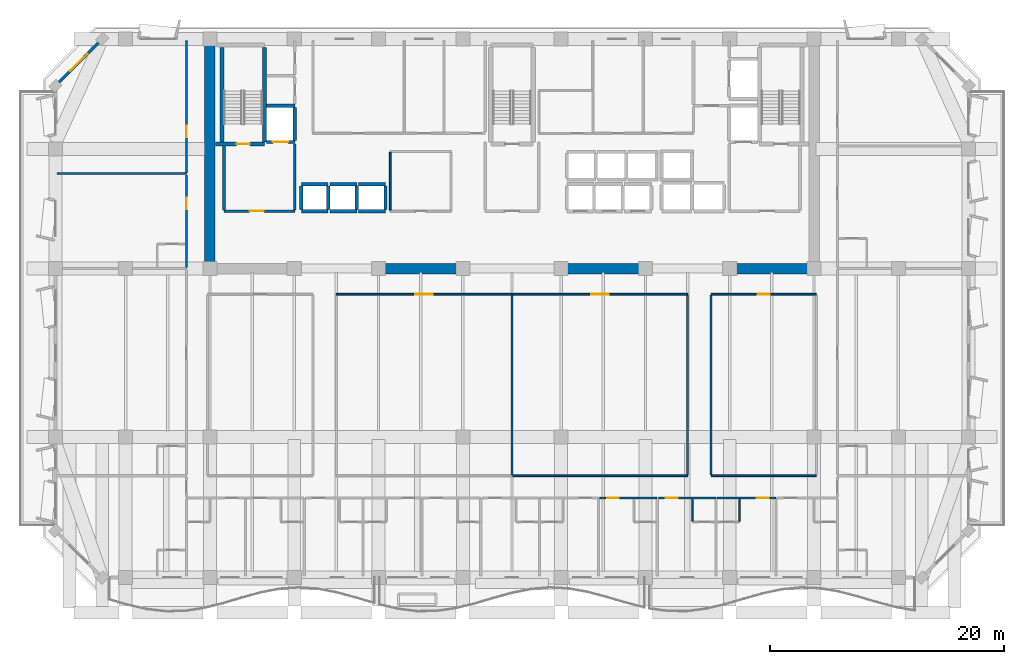
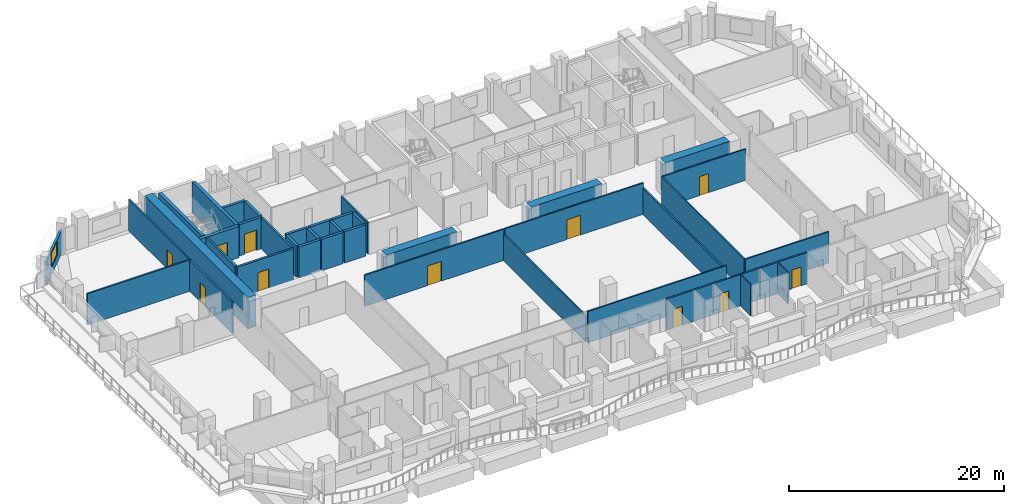
# One storey, part 7 of 16: 41 walls, 11 doors, 1 window, 12 openings.
"""IFC4 building model written with IfcOpenShell, lengths in metres."""

from ifc_helpers import new_model, si_unit, direction, frame, frame_2d, origin, place, context, subcontext, project, spatial, rectangle, extrude, material, layer, layer_set, type_object, element, fill, save


model = new_model("IFC4")

# Units and contexts
model_context = context("Model", 3, precision=1e-05, world=origin(), true_north=direction((0.0, 1.0)))
body_context = subcontext(model_context, "Body", "Model", "MODEL_VIEW")
ifc_project = project(units=[si_unit("LENGTHUNIT", "METRE"), si_unit("AREAUNIT", "SQUARE_METRE"), si_unit("VOLUMEUNIT", "CUBIC_METRE"), si_unit("PLANEANGLEUNIT", "RADIAN"), si_unit("MASSUNIT", "GRAM", prefix="KILO")], contexts=[model_context])

# Site, building, storey
site_placement = place(None, origin())
site = spatial("IfcSite", under=ifc_project, at=site_placement, CompositionType="ELEMENT")
building_placement = place(site_placement, origin())
building = spatial("IfcBuilding", under=site, at=building_placement, Name="Kaelvorn Grand Hotel", CompositionType="ELEMENT")
storey_placement = place(building_placement, frame((0.0, 0.0, 135.35009765625)))
storey = spatial("IfcBuildingStorey", under=building, at=storey_placement, Name="L32", CompositionType="ELEMENT", Elevation=135.35009765625)

# Walls
ifc_material_1 = material(Name="Concrete C60/75", Category="concrete")
ifc_layer_1 = layer(ifc_material_1, 0.89990234375)
ifc_layer_set_1 = layer_set([ifc_layer_1], Name="Concrete C60/75")
wall_type_1 = type_object("IfcWallType", Name="WL-CORE-900-C60", PredefinedType="SHEAR", material=ifc_layer_set_1)
wall_1_placement = place(storey_placement, frame((16.199951171875, 29.39990234375, 0.0), z_axis=(0.0, 0.0, 1.0), x_axis=(0.0, 1.0, 0.0)))
element("IfcWall", 1, at=wall_1_placement, inside=storey, type_object=wall_type_1, Name="L32 Rear-Core West Shear Wall", PredefinedType="SHEAR", context=body_context, shape_type="SweptSolid", body=[
    extrude(rectangle(XDim=19.2001953125, YDim=0.89990234375, at=frame_2d((9.60009765625, 0.0))), origin(), (0.0, 0.0, 1.0), 3.559814453125),
])
for number, where, z_axis, x_axis, name in (
    (2, (30.39990234375, 29.39990234375, 0.0), (0.0, 0.0, 1.0), (1.0, 0.0, 0.0), "L32 Rear-Core Coupled Shear Pier S2"),
    (3, (46.0, 29.39990234375, 0.0), (0.0, 0.0, 1.0), (1.0, 0.0, 0.0), "L32 Rear-Core Coupled Shear Pier S3"),
):
    element("IfcWall", number, at=place(storey_placement, frame(where, z_axis=z_axis, x_axis=x_axis)), inside=storey, type_object=wall_type_1, Name=name, PredefinedType="SHEAR", context=body_context, shape_type="SweptSolid", body=[
        extrude(rectangle(XDim=7.60009765625, YDim=0.89990234375, at=frame_2d((3.800048828125, 0.0))), origin(), (0.0, 0.0, 1.0), 3.559814453125),
    ])
wall_2_placement = place(storey_placement, frame((60.39990234375, 29.39990234375, 0.0), z_axis=(0.0, 0.0, 1.0), x_axis=(1.0, 0.0, 0.0)))
element("IfcWall", 4, at=wall_2_placement, inside=storey, type_object=wall_type_1, Name="L32 Rear-Core Coupled Shear Pier S4", PredefinedType="SHEAR", context=body_context, shape_type="SweptSolid", body=[
    extrude(rectangle(XDim=6.945068359375, YDim=0.89990234375, at=frame_2d((3.47265625, 0.0))), origin(), (0.0, 0.0, 1.0), 3.559814453125),
])

# Wall, opening, window
ifc_material_2 = material(Name="Concrete C40/50", Category="concrete")
ifc_layer_2 = layer(ifc_material_2, 0.239990234375)
ifc_layer_set_2 = layer_set([ifc_layer_2], Name="Concrete C40/50")
wall_type_2 = type_object("IfcWallType", Name="WL-EXT-240-C40", PredefinedType="SOLIDWALL", material=ifc_layer_set_2)
wall_3_placement = place(storey_placement, frame((7.0, 49.0, 0.0), z_axis=(0.0, 0.0, 1.0), x_axis=(-0.707106781187, -0.707106781187, 0.0)))
wall_3 = element("IfcWall", 5, at=wall_3_placement, inside=storey, type_object=wall_type_2, Name="L32 Exterior Architectural Concrete Wall 06", PredefinedType="SOLIDWALL", context=body_context, shape_type="SweptSolid", body=[
    extrude(rectangle(XDim=5.65673828125, YDim=0.239990234375, at=frame_2d((2.828369140625, 0.0))), origin(), (0.0, 0.0, 1.0), 2.60986328125),
])
opening_1_placement = place(wall_3_placement, frame((1.7783203125, 0.0, 0.85009765625)))
opening_1 = element("IfcOpeningElement", 6, at=opening_1_placement, cuts=wall_3, Name="Opening W7", PredefinedType="OPENING", context=body_context, shape_type="SweptSolid", body=[
    extrude(rectangle(XDim=2.10009765625, YDim=1.60009765625, at=frame_2d((1.050048828125, 0.800048828125))), frame((0.0, 0.1298828125, 0.0), z_axis=(0.0, -1.0, 0.0), x_axis=(1.0, 0.0, 0.0)), (0.0, 0.0, 1.0), 0.260009765625),
])
ifc_material_3 = material(Name="Laminated Low-E Glass", Category="glass")
window_type = type_object("IfcWindowType", Name="WIN-CHM-2100x1600", PartitioningType="SINGLE_PANEL", PredefinedType="WINDOW", material=ifc_material_3)
window_placement = place(opening_1_placement, origin())
window = element("IfcWindow", 7, at=window_placement, inside=storey, type_object=window_type, Name="L32 Chamfered 45-Degree Corner Window NW", OverallHeight=1.60009765625, OverallWidth=2.10009765625, PartitioningType="SINGLE_PANEL", PredefinedType="WINDOW", context=body_context, shape_type="SweptSolid", body=[
    extrude(rectangle(XDim=2.10009765625, YDim=1.60009765625, at=frame_2d((1.050048828125, 0.800048828125))), frame((0.0, 0.030029296875, 0.0), z_axis=(0.0, -1.0, 0.0), x_axis=(1.0, 0.0, 0.0)), (0.0, 0.0, 1.0), 0.06005859375),
])
fill(opening_1, window)

# Walls
ifc_material_4 = material(Name="Moisture-Resistant Tile & Stud Board")
ifc_layer_3 = layer(ifc_material_4, 0.125)
ifc_layer_set_3 = layer_set([ifc_layer_3], Name="Moisture-Resistant Tile & Stud Board")
wall_type_3 = type_object("IfcWallType", Name="WL-PART-125-WET", PredefinedType="PARTITIONING", material=ifc_layer_set_3)
for number, where, z_axis, x_axis, name in (
    (8, (57.428466796875, 7.8173828125, 0.0), (0.0, 0.0, 1.0), (0.0, 1.0, 0.0), "L32 En-suite Bathroom L32-09 W Partition"),
    (9, (61.428466796875, 7.8173828125, 0.0), (0.0, 0.0, 1.0), (0.0, 1.0, 0.0), "L32 En-suite Bathroom L32-10 E Partition"),
):
    element("IfcWall", number, at=place(storey_placement, frame(where, z_axis=z_axis, x_axis=x_axis)), inside=storey, type_object=wall_type_3, Name=name, PredefinedType="PARTITIONING", context=body_context, shape_type="SweptSolid", body=[
        extrude(rectangle(XDim=1.8876953125, YDim=0.125, at=frame_2d((0.94384765625, 0.0))), origin(), (0.0, 0.0, 1.0), 3.559814453125),
    ])
ifc_material_5 = material(Name="Acoustic Gypsum & Stud Partition")
ifc_layer_4 = layer(ifc_material_5, 0.14990234375)
ifc_layer_set_4 = layer_set([ifc_layer_4], Name="Acoustic Gypsum & Stud Partition")
wall_type_4 = type_object("IfcWallType", Name="WL-PART-150-EI60", PredefinedType="PARTITIONING", material=ifc_layer_set_4)
wall_4_placement = place(storey_placement, frame((31.60009765625, 34.3798828125, 0.0), z_axis=(0.0, 0.0, 1.0), x_axis=(0.0, 1.0, 0.0)))
element("IfcWall", 10, at=wall_4_placement, inside=storey, type_object=wall_type_4, Name="L32 Core Telecoms & BMS Server Room W Partition", PredefinedType="PARTITIONING", context=body_context, shape_type="SweptSolid", body=[
    extrude(rectangle(XDim=4.940185546875, YDim=0.14990234375, at=frame_2d((2.47021484375, 0.0))), origin(), (0.0, 0.0, 1.0), 3.559814453125),
])

# Wall, opening, door
wall_5_placement = place(storey_placement, frame((27.0, 27.199951171875, 0.0), z_axis=(0.0, 0.0, 1.0), x_axis=(1.0, 0.0, 0.0)))
wall_5 = element("IfcWall", 11, at=wall_5_placement, inside=storey, type_object=wall_type_4, Name="L32 Guest Butler Kitchen N Partition", PredefinedType="PARTITIONING", context=body_context, shape_type="SweptSolid", body=[
    extrude(rectangle(XDim=15.0, YDim=0.14990234375, at=frame_2d((7.5, 0.0))), origin(), (0.0, 0.0, 1.0), 3.559814453125),
])
opening_2_placement = place(wall_5_placement, frame((6.75, 0.0, 0.0)))
opening_2 = element("IfcOpeningElement", 12, at=opening_2_placement, cuts=wall_5, Name="Opening DI5", PredefinedType="OPENING", context=body_context, shape_type="SweptSolid", body=[
    extrude(rectangle(XDim=1.5, YDim=2.25, at=frame_2d((0.75, 1.125))), frame((0.0, 0.0849609375, 0.0), z_axis=(0.0, -1.0, 0.0), x_axis=(1.0, 0.0, 0.0)), (0.0, 0.0, 1.0), 0.169921875),
])
ifc_material_6 = material(Name="Timber Veneer Fire Leaf", Category="wood")
door_type_1 = type_object("IfcDoorType", Name="DR-INT-SALON-1500x2250", OperationType="DOUBLE_DOOR_SINGLE_SWING", PredefinedType="DOOR", material=ifc_material_6)
door_1_placement = place(opening_2_placement, origin())
door_1 = element("IfcDoor", 13, at=door_1_placement, inside=storey, type_object=door_type_1, Name="L32 Guest Butler Kitchen Door", OperationType="DOUBLE_DOOR_SINGLE_SWING", OverallHeight=2.25, OverallWidth=1.5, PredefinedType="DOOR", context=body_context, shape_type="SweptSolid", body=[
    extrude(rectangle(XDim=1.5, YDim=2.25, at=frame_2d((0.75, 1.125))), frame((0.0, 0.02490234375, 0.0), z_axis=(0.0, -1.0, 0.0), x_axis=(1.0, 0.0, 0.0)), (0.0, 0.0, 1.0), 0.050048828125),
])
fill(opening_2, door_1)

# Walls
wall_6_placement = place(storey_placement, frame((42.0, 11.780029296875, 0.0), z_axis=(0.0, 0.0, 1.0), x_axis=(0.0, 1.0, 0.0)))
element("IfcWall", 14, at=wall_6_placement, inside=storey, type_object=wall_type_4, Name="L32 Guest Butler Kitchen E Partition", PredefinedType="PARTITIONING", context=body_context, shape_type="SweptSolid", body=[
    extrude(rectangle(XDim=15.340087890625, YDim=0.14990234375, at=frame_2d((7.669921875, 0.0))), origin(), (0.0, 0.0, 1.0), 3.010009765625),
])
wall_7_placement = place(storey_placement, frame((42.080078125, 11.699951171875, 0.0), z_axis=(0.0, 0.0, 1.0), x_axis=(1.0, 0.0, 0.0)))
element("IfcWall", 15, at=wall_7_placement, inside=storey, type_object=wall_type_4, Name="L32 Suite Living Room S Partition", PredefinedType="PARTITIONING", context=body_context, shape_type="SweptSolid", body=[
    extrude(rectangle(XDim=14.919921875, YDim=0.14990234375, at=frame_2d((7.4599609375, 0.0))), origin(), (0.0, 0.0, 1.0), 3.559814453125),
])

# Wall, opening, door
wall_8_placement = place(storey_placement, frame((42.080078125, 27.199951171875, 0.0), z_axis=(0.0, 0.0, 1.0), x_axis=(1.0, 0.0, 0.0)))
wall_8 = element("IfcWall", 16, at=wall_8_placement, inside=storey, type_object=wall_type_4, Name="L32 Suite Living Room N Partition", PredefinedType="PARTITIONING", context=body_context, shape_type="SweptSolid", body=[
    extrude(rectangle(XDim=14.919921875, YDim=0.14990234375, at=frame_2d((7.4599609375, 0.0))), origin(), (0.0, 0.0, 1.0), 3.559814453125),
])
opening_3_placement = place(wall_8_placement, frame((6.669921875, 0.0, 0.0)))
opening_3 = element("IfcOpeningElement", 17, at=opening_3_placement, cuts=wall_8, Name="Opening DI5", PredefinedType="OPENING", context=body_context, shape_type="SweptSolid", body=[
    extrude(rectangle(XDim=1.5, YDim=2.25, at=frame_2d((0.75, 1.125))), frame((0.0, 0.0849609375, 0.0), z_axis=(0.0, -1.0, 0.0), x_axis=(1.0, 0.0, 0.0)), (0.0, 0.0, 1.0), 0.169921875),
])
door_2_placement = place(opening_3_placement, origin())
door_2 = element("IfcDoor", 18, at=door_2_placement, inside=storey, type_object=door_type_1, Name="L32 Suite Living Room Door", OperationType="DOUBLE_DOOR_SINGLE_SWING", OverallHeight=2.25, OverallWidth=1.5, PredefinedType="DOOR", context=body_context, shape_type="SweptSolid", body=[
    extrude(rectangle(XDim=1.5, YDim=2.25, at=frame_2d((0.75, 1.125))), frame((0.0, 0.02490234375, 0.0), z_axis=(0.0, -1.0, 0.0), x_axis=(1.0, 0.0, 0.0)), (0.0, 0.0, 1.0), 0.050048828125),
])
fill(opening_3, door_2)

# Walls
wall_9_placement = place(storey_placement, frame((57.0, 11.780029296875, 0.0), z_axis=(0.0, 0.0, 1.0), x_axis=(0.0, 1.0, 0.0)))
element("IfcWall", 19, at=wall_9_placement, inside=storey, type_object=wall_type_4, Name="L32 Suite Living Room E Partition", PredefinedType="PARTITIONING", context=body_context, shape_type="SweptSolid", body=[
    extrude(rectangle(XDim=15.340087890625, YDim=0.14990234375, at=frame_2d((7.669921875, 0.0))), origin(), (0.0, 0.0, 1.0), 3.010009765625),
])
wall_10_placement = place(storey_placement, frame((59.0, 11.699951171875, 0.0), z_axis=(0.0, 0.0, 1.0), x_axis=(1.0, 0.0, 0.0)))
element("IfcWall", 20, at=wall_10_placement, inside=storey, type_object=wall_type_4, Name="L32 Business Secretariat Office S Partition", PredefinedType="PARTITIONING", context=body_context, shape_type="SweptSolid", body=[
    extrude(rectangle(XDim=9.0, YDim=0.14990234375, at=frame_2d((4.5, 0.0))), origin(), (0.0, 0.0, 1.0), 3.559814453125),
])

# Wall, opening, door
wall_11_placement = place(storey_placement, frame((59.0, 27.199951171875, 0.0), z_axis=(0.0, 0.0, 1.0), x_axis=(1.0, 0.0, 0.0)))
wall_11 = element("IfcWall", 21, at=wall_11_placement, inside=storey, type_object=wall_type_4, Name="L32 Business Secretariat Office N Partition", PredefinedType="PARTITIONING", context=body_context, shape_type="SweptSolid", body=[
    extrude(rectangle(XDim=9.0, YDim=0.14990234375, at=frame_2d((4.5, 0.0))), origin(), (0.0, 0.0, 1.0), 3.559814453125),
])
opening_4_placement = place(wall_11_placement, frame((4.0, 0.0, 0.0)))
opening_4 = element("IfcOpeningElement", 22, at=opening_4_placement, cuts=wall_11, Name="Opening DI3", PredefinedType="OPENING", context=body_context, shape_type="SweptSolid", body=[
    extrude(rectangle(XDim=1.0, YDim=2.14990234375, at=frame_2d((0.5, 1.074951171875))), frame((0.0, 0.0849609375, 0.0), z_axis=(0.0, -1.0, 0.0), x_axis=(1.0, 0.0, 0.0)), (0.0, 0.0, 1.0), 0.169921875),
])
door_type_2 = type_object("IfcDoorType", Name="DR-INT-GUEST-1000x2150", OperationType="NOTDEFINED", PredefinedType="DOOR", material=ifc_material_6)
door_3_placement = place(opening_4_placement, origin())
door_3 = element("IfcDoor", 23, at=door_3_placement, inside=storey, type_object=door_type_2, Name="L32 Business Secretariat Office Door", OperationType="SINGLE_SWING_RIGHT", OverallHeight=2.14990234375, OverallWidth=1.0, PredefinedType="DOOR", context=body_context, shape_type="SweptSolid", body=[
    extrude(rectangle(XDim=1.0, YDim=2.14990234375, at=frame_2d((0.5, 1.074951171875))), frame((0.0, 0.02490234375, 0.0), z_axis=(0.0, -1.0, 0.0), x_axis=(1.0, 0.0, 0.0)), (0.0, 0.0, 1.0), 0.050048828125),
])
fill(opening_4, door_3)

# Wall
wall_12_placement = place(storey_placement, frame((59.0, 11.780029296875, 0.0), z_axis=(0.0, 0.0, 1.0), x_axis=(0.0, 1.0, 0.0)))
element("IfcWall", 24, at=wall_12_placement, inside=storey, type_object=wall_type_4, Name="L32 Business Secretariat Office W Partition", PredefinedType="PARTITIONING", context=body_context, shape_type="SweptSolid", body=[
    extrude(rectangle(XDim=15.340087890625, YDim=0.14990234375, at=frame_2d((7.669921875, 0.0))), origin(), (0.0, 0.0, 1.0), 3.559814453125),
])

# Wall, opening, door
wall_13_placement = place(storey_placement, frame((14.199951171875, 37.594970703125, 0.0), z_axis=(0.0, 0.0, 1.0), x_axis=(0.0, 1.0, 0.0)))
wall_13 = element("IfcWall", 25, at=wall_13_placement, inside=storey, type_object=wall_type_4, Name="L32 North-West Business Secretariat Office E Partition", PredefinedType="PARTITIONING", context=body_context, shape_type="SweptSolid", body=[
    extrude(rectangle(XDim=11.255126953125, YDim=0.14990234375, at=frame_2d((5.62744140625, 0.0))), origin(), (0.0, 0.0, 1.0), 3.559814453125),
])
opening_5_placement = place(wall_13_placement, frame((3.0048828125, 0.0, 0.0)))
opening_5 = element("IfcOpeningElement", 26, at=opening_5_placement, cuts=wall_13, Name="Opening DI3", PredefinedType="OPENING", context=body_context, shape_type="SweptSolid", body=[
    extrude(rectangle(XDim=1.0, YDim=2.14990234375, at=frame_2d((0.5, 1.074951171875))), frame((0.0, 0.0849609375, 0.0), z_axis=(0.0, -1.0, 0.0), x_axis=(1.0, 0.0, 0.0)), (0.0, 0.0, 1.0), 0.169921875),
])
door_4_placement = place(opening_5_placement, origin())
door_4 = element("IfcDoor", 27, at=door_4_placement, inside=storey, type_object=door_type_2, Name="L32 North-West Business Secretariat Office Door", OperationType="SINGLE_SWING_LEFT", OverallHeight=2.14990234375, OverallWidth=1.0, PredefinedType="DOOR", context=body_context, shape_type="SweptSolid", body=[
    extrude(rectangle(XDim=1.0, YDim=2.14990234375, at=frame_2d((0.5, 1.074951171875))), frame((0.0, 0.02490234375, 0.0), z_axis=(0.0, -1.0, 0.0), x_axis=(1.0, 0.0, 0.0)), (0.0, 0.0, 1.0), 0.050048828125),
])
fill(opening_5, door_4)

ifc_layer_5 = layer(ifc_material_5, 0.179931640625)
ifc_layer_set_5 = layer_set([ifc_layer_5], Name="Acoustic Gypsum & Stud Partition")
wall_type_5 = type_object("IfcWallType", Name="WL-PART-180-EI60", PredefinedType="PARTITIONING", material=ifc_layer_set_5)
wall_14_placement = place(storey_placement, frame((49.47265625, 9.800048828125, 0.0), z_axis=(0.0, 0.0, 1.0), x_axis=(1.0, 0.0, 0.0)))
wall_14 = element("IfcWall", 28, at=wall_14_placement, inside=storey, type_object=wall_type_5, Name="L32 Superior King Guest Room L32-08 N Partition", PredefinedType="PARTITIONING", context=body_context, shape_type="SweptSolid", body=[
    extrude(rectangle(XDim=4.930419921875, YDim=0.179931640625, at=frame_2d((2.46533203125, 0.0))), origin(), (0.0, 0.0, 1.0), 3.559814453125),
])
opening_6_placement = place(wall_14_placement, frame((0.64990234375, 0.0, 0.0)))
opening_6 = element("IfcOpeningElement", 29, at=opening_6_placement, cuts=wall_14, Name="Opening DI3", PredefinedType="OPENING", context=body_context, shape_type="SweptSolid", body=[
    extrude(rectangle(XDim=1.0, YDim=2.14990234375, at=frame_2d((0.5, 1.074951171875))), frame((0.0, 0.10009765625, 0.0), z_axis=(0.0, -1.0, 0.0), x_axis=(1.0, 0.0, 0.0)), (0.0, 0.0, 1.0), 0.199951171875),
])
door_5_placement = place(opening_6_placement, origin())
door_5 = element("IfcDoor", 30, at=door_5_placement, inside=storey, type_object=door_type_2, Name="L32 Superior King Guest Room L32-08 Door", OperationType="SINGLE_SWING_LEFT", OverallHeight=2.14990234375, OverallWidth=1.0, PredefinedType="DOOR", context=body_context, shape_type="SweptSolid", body=[
    extrude(rectangle(XDim=1.0, YDim=2.14990234375, at=frame_2d((0.5, 1.074951171875))), frame((0.0, 0.02490234375, 0.0), z_axis=(0.0, -1.0, 0.0), x_axis=(1.0, 0.0, 0.0)), (0.0, 0.0, 1.0), 0.050048828125),
])
fill(opening_6, door_5)

wall_15_placement = place(storey_placement, frame((54.498046875, 9.800048828125, 0.0), z_axis=(0.0, 0.0, 1.0), x_axis=(1.0, 0.0, 0.0)))
wall_15 = element("IfcWall", 31, at=wall_15_placement, inside=storey, type_object=wall_type_5, Name="L32 Superior King Guest Room L32-09 N Partition", PredefinedType="PARTITIONING", context=body_context, shape_type="SweptSolid", body=[
    extrude(rectangle(XDim=4.930419921875, YDim=0.179931640625, at=frame_2d((2.46533203125, 0.0))), origin(), (0.0, 0.0, 1.0), 3.559814453125),
])
opening_7_placement = place(wall_15_placement, frame((0.64990234375, 0.0, 0.0)))
opening_7 = element("IfcOpeningElement", 32, at=opening_7_placement, cuts=wall_15, Name="Opening DI3", PredefinedType="OPENING", context=body_context, shape_type="SweptSolid", body=[
    extrude(rectangle(XDim=1.0, YDim=2.14990234375, at=frame_2d((0.5, 1.074951171875))), frame((0.0, 0.10009765625, 0.0), z_axis=(0.0, -1.0, 0.0), x_axis=(1.0, 0.0, 0.0)), (0.0, 0.0, 1.0), 0.199951171875),
])
door_6_placement = place(opening_7_placement, origin())
door_6 = element("IfcDoor", 33, at=door_6_placement, inside=storey, type_object=door_type_2, Name="L32 Superior King Guest Room L32-09 Door", OperationType="SINGLE_SWING_LEFT", OverallHeight=2.14990234375, OverallWidth=1.0, PredefinedType="DOOR", context=body_context, shape_type="SweptSolid", body=[
    extrude(rectangle(XDim=1.0, YDim=2.14990234375, at=frame_2d((0.5, 1.074951171875))), frame((0.0, 0.02490234375, 0.0), z_axis=(0.0, -1.0, 0.0), x_axis=(1.0, 0.0, 0.0)), (0.0, 0.0, 1.0), 0.050048828125),
])
fill(opening_7, door_6)

wall_16_placement = place(storey_placement, frame((59.5234375, 9.800048828125, 0.0), z_axis=(0.0, 0.0, 1.0), x_axis=(1.0, 0.0, 0.0)))
wall_16 = element("IfcWall", 34, at=wall_16_placement, inside=storey, type_object=wall_type_5, Name="L32 Superior King Guest Room L32-10 N Partition", PredefinedType="PARTITIONING", context=body_context, shape_type="SweptSolid", body=[
    extrude(rectangle(XDim=5.037353515625, YDim=0.179931640625, at=frame_2d((2.5185546875, 0.0))), origin(), (0.0, 0.0, 1.0), 3.559814453125),
])
opening_8_placement = place(wall_16_placement, frame((3.38720703125, 0.0, 0.0)))
opening_8 = element("IfcOpeningElement", 35, at=opening_8_placement, cuts=wall_16, Name="Opening DI3", PredefinedType="OPENING", context=body_context, shape_type="SweptSolid", body=[
    extrude(rectangle(XDim=1.0, YDim=2.14990234375, at=frame_2d((0.5, 1.074951171875))), frame((0.0, 0.10009765625, 0.0), z_axis=(0.0, -1.0, 0.0), x_axis=(1.0, 0.0, 0.0)), (0.0, 0.0, 1.0), 0.199951171875),
])
door_7_placement = place(opening_8_placement, origin())
door_7 = element("IfcDoor", 36, at=door_7_placement, inside=storey, type_object=door_type_2, Name="L32 Superior King Guest Room L32-10 Door", OperationType="SINGLE_SWING_LEFT", OverallHeight=2.14990234375, OverallWidth=1.0, PredefinedType="DOOR", context=body_context, shape_type="SweptSolid", body=[
    extrude(rectangle(XDim=1.0, YDim=2.14990234375, at=frame_2d((0.5, 1.074951171875))), frame((0.0, 0.02490234375, 0.0), z_axis=(0.0, -1.0, 0.0), x_axis=(1.0, 0.0, 0.0)), (0.0, 0.0, 1.0), 0.050048828125),
])
fill(opening_8, door_7)

# Wall
wall_17_placement = place(storey_placement, frame((3.14990234375, 37.5, 0.0), z_axis=(0.0, 0.0, 1.0), x_axis=(1.0, 0.0, 0.0)))
element("IfcWall", 37, at=wall_17_placement, inside=storey, type_object=wall_type_5, Name="L32 North-West Wing Suite L32-16 N Partition", PredefinedType="PARTITIONING", context=body_context, shape_type="SweptSolid", body=[
    extrude(rectangle(XDim=11.050048828125, YDim=0.179931640625, at=frame_2d((5.52490234375, 0.0))), origin(), (0.0, 0.0, 1.0), 3.559814453125),
])

# Wall, opening, door
wall_18_placement = place(storey_placement, frame((14.199951171875, 29.4951171875, 0.0), z_axis=(0.0, 0.0, 1.0), x_axis=(0.0, 1.0, 0.0)))
wall_18 = element("IfcWall", 38, at=wall_18_placement, inside=storey, type_object=wall_type_5, Name="L32 North-West Wing Suite L32-16 E Partition", PredefinedType="PARTITIONING", context=body_context, shape_type="SweptSolid", body=[
    extrude(rectangle(XDim=7.909912109375, YDim=0.179931640625, at=frame_2d((3.955078125, 0.0))), origin(), (0.0, 0.0, 1.0), 3.559814453125),
])
opening_9_placement = place(wall_18_placement, frame((4.9599609375, 0.0, 0.0)))
opening_9 = element("IfcOpeningElement", 39, at=opening_9_placement, cuts=wall_18, Name="Opening DI3", PredefinedType="OPENING", context=body_context, shape_type="SweptSolid", body=[
    extrude(rectangle(XDim=1.0, YDim=2.14990234375, at=frame_2d((0.5, 1.074951171875))), frame((0.0, 0.10009765625, 0.0), z_axis=(0.0, -1.0, 0.0), x_axis=(1.0, 0.0, 0.0)), (0.0, 0.0, 1.0), 0.199951171875),
])
door_8_placement = place(opening_9_placement, origin())
door_8 = element("IfcDoor", 40, at=door_8_placement, inside=storey, type_object=door_type_2, Name="L32 North-West Wing Suite L32-16 Door", OperationType="SINGLE_SWING_LEFT", OverallHeight=2.14990234375, OverallWidth=1.0, PredefinedType="DOOR", context=body_context, shape_type="SweptSolid", body=[
    extrude(rectangle(XDim=1.0, YDim=2.14990234375, at=frame_2d((0.5, 1.074951171875))), frame((0.0, 0.02490234375, 0.0), z_axis=(0.0, -1.0, 0.0), x_axis=(1.0, 0.0, 0.0)), (0.0, 0.0, 1.0), 0.050048828125),
])
fill(opening_9, door_8)

ifc_layer_6 = layer(ifc_material_2, 0.219970703125)
ifc_layer_set_6 = layer_set([ifc_layer_6], Name="Concrete C40/50")
wall_type_6 = type_object("IfcWallType", Name="WL-PART-220-EI120", PredefinedType="PARTITIONING", material=ifc_layer_set_6)
wall_19_placement = place(storey_placement, frame((17.39990234375, 34.300048828125, 0.0), z_axis=(0.0, 0.0, 1.0), x_axis=(1.0, 0.0, 0.0)))
wall_19 = element("IfcWall", 41, at=wall_19_placement, inside=storey, type_object=wall_type_6, Name="L32 Firefighting Lift Lobby 1 S Partition", PredefinedType="PARTITIONING", context=body_context, shape_type="SweptSolid", body=[
    extrude(rectangle(XDim=6.050048828125, YDim=0.219970703125, at=frame_2d((3.02490234375, 0.0))), origin(), (0.0, 0.0, 1.0), 3.559814453125),
])
opening_10_placement = place(wall_19_placement, frame((2.199951171875, 0.0, 0.0)))
opening_10 = element("IfcOpeningElement", 42, at=opening_10_placement, cuts=wall_19, Name="Opening DI2", PredefinedType="OPENING", context=body_context, shape_type="SweptSolid", body=[
    extrude(rectangle(XDim=1.199951171875, YDim=2.14990234375, at=frame_2d((0.60009765625, 1.074951171875))), frame((0.0, 0.1201171875, 0.0), z_axis=(0.0, -1.0, 0.0), x_axis=(1.0, 0.0, 0.0)), (0.0, 0.0, 1.0), 0.239990234375),
])
door_type_3 = type_object("IfcDoorType", Name="DR-INT-FFLOB-1200x2150", OperationType="NOTDEFINED", PredefinedType="DOOR", material=ifc_material_6)
door_9_placement = place(opening_10_placement, origin())
door_9 = element("IfcDoor", 43, at=door_9_placement, inside=storey, type_object=door_type_3, Name="L32 Firefighting Lift Lobby 1 Door", OperationType="SINGLE_SWING_RIGHT", OverallHeight=2.14990234375, OverallWidth=1.199951171875, PredefinedType="DOOR", context=body_context, shape_type="SweptSolid", body=[
    extrude(rectangle(XDim=1.199951171875, YDim=2.14990234375, at=frame_2d((0.60009765625, 1.074951171875))), frame((0.0, 0.02490234375, 0.0), z_axis=(0.0, -1.0, 0.0), x_axis=(1.0, 0.0, 0.0)), (0.0, 0.0, 1.0), 0.050048828125),
])
fill(opening_10, door_9)

# Walls
wall_20_placement = place(storey_placement, frame((17.39990234375, 34.4150390625, 0.0), z_axis=(0.0, 0.0, 1.0), x_axis=(0.0, 1.0, 0.0)))
element("IfcWall", 44, at=wall_20_placement, inside=storey, type_object=wall_type_6, Name="L32 Firefighting Lift Lobby 1 W Partition", PredefinedType="PARTITIONING", context=body_context, shape_type="SweptSolid", body=[
    extrude(rectangle(XDim=5.429931640625, YDim=0.219970703125, at=frame_2d((2.71484375, 0.0))), origin(), (0.0, 0.0, 1.0), 3.559814453125),
])
wall_21_placement = place(storey_placement, frame((23.449951171875, 34.4150390625, 0.0), z_axis=(0.0, 0.0, 1.0), x_axis=(0.0, 1.0, 0.0)))
element("IfcWall", 45, at=wall_21_placement, inside=storey, type_object=wall_type_6, Name="L32 Firefighting Lift Lobby 1 E Partition", PredefinedType="PARTITIONING", context=body_context, shape_type="SweptSolid", body=[
    extrude(rectangle(XDim=5.639892578125, YDim=0.219970703125, at=frame_2d((2.81982421875, 0.0))), origin(), (0.0, 0.0, 1.0), 3.559814453125),
])
ifc_material_7 = material(Name="Concrete C50/60", Category="concrete")
ifc_layer_7 = layer(ifc_material_7, 0.280029296875)
ifc_layer_set_7 = layer_set([ifc_layer_7], Name="Concrete C50/60")
wall_type_7 = type_object("IfcWallType", Name="WL-SHAFT-280-C50", PredefinedType="SHEAR", material=ifc_layer_set_7)
for number, where, z_axis, x_axis, name in (
    (46, (24.0, 34.300048828125, 0.0), (0.0, 0.0, 1.0), (1.0, 0.0, 0.0), "L32 Lift PL-L1 Shaft South Wall"),
    (47, (24.0, 36.60009765625, 0.0), (0.0, 0.0, 1.0), (1.0, 0.0, 0.0), "L32 Lift PL-L1 Shaft North Wall"),
):
    element("IfcWall", number, at=place(storey_placement, frame(where, z_axis=z_axis, x_axis=x_axis)), inside=storey, type_object=wall_type_7, Name=name, PredefinedType="SHEAR", context=body_context, shape_type="SweptSolid", body=[
        extrude(rectangle(XDim=2.300048828125, YDim=0.280029296875, at=frame_2d((1.14990234375, 0.0))), origin(), (0.0, 0.0, 1.0), 3.559814453125),
    ])
for number, where, z_axis, x_axis, name in (
    (48, (24.0, 34.445068359375, 0.0), (0.0, 0.0, 1.0), (0.0, 1.0, 0.0), "L32 Lift PL-L1 Shaft West Wall"),
    (49, (26.300048828125, 34.445068359375, 0.0), (0.0, 0.0, 1.0), (0.0, 1.0, 0.0), "L32 Lift PL-L1 Shaft East Wall"),
):
    element("IfcWall", number, at=place(storey_placement, frame(where, z_axis=z_axis, x_axis=x_axis)), inside=storey, type_object=wall_type_7, Name=name, PredefinedType="SHEAR", context=body_context, shape_type="SweptSolid", body=[
        extrude(rectangle(XDim=2.010009765625, YDim=0.280029296875, at=frame_2d((1.0048828125, 0.0))), origin(), (0.0, 0.0, 1.0), 3.559814453125),
    ])
for number, where, z_axis, x_axis, name in (
    (50, (26.449951171875, 34.300048828125, 0.0), (0.0, 0.0, 1.0), (1.0, 0.0, 0.0), "L32 Lift PL-L2 Shaft South Wall"),
    (51, (26.449951171875, 36.60009765625, 0.0), (0.0, 0.0, 1.0), (1.0, 0.0, 0.0), "L32 Lift PL-L2 Shaft North Wall"),
):
    element("IfcWall", number, at=place(storey_placement, frame(where, z_axis=z_axis, x_axis=x_axis)), inside=storey, type_object=wall_type_7, Name=name, PredefinedType="SHEAR", context=body_context, shape_type="SweptSolid", body=[
        extrude(rectangle(XDim=2.300048828125, YDim=0.280029296875, at=frame_2d((1.14990234375, 0.0))), origin(), (0.0, 0.0, 1.0), 3.559814453125),
    ])
wall_22_placement = place(storey_placement, frame((28.75, 34.445068359375, 0.0), z_axis=(0.0, 0.0, 1.0), x_axis=(0.0, 1.0, 0.0)))
element("IfcWall", 52, at=wall_22_placement, inside=storey, type_object=wall_type_7, Name="L32 Lift PL-L2 Shaft East Wall", PredefinedType="SHEAR", context=body_context, shape_type="SweptSolid", body=[
    extrude(rectangle(XDim=2.010009765625, YDim=0.280029296875, at=frame_2d((1.0048828125, 0.0))), origin(), (0.0, 0.0, 1.0), 3.559814453125),
])
for number, where, z_axis, x_axis, name in (
    (53, (28.89990234375, 34.300048828125, 0.0), (0.0, 0.0, 1.0), (1.0, 0.0, 0.0), "L32 Lift PL-L3 Shaft South Wall"),
    (54, (28.89990234375, 36.60009765625, 0.0), (0.0, 0.0, 1.0), (1.0, 0.0, 0.0), "L32 Lift PL-L3 Shaft North Wall"),
):
    element("IfcWall", number, at=place(storey_placement, frame(where, z_axis=z_axis, x_axis=x_axis)), inside=storey, type_object=wall_type_7, Name=name, PredefinedType="SHEAR", context=body_context, shape_type="SweptSolid", body=[
        extrude(rectangle(XDim=2.300048828125, YDim=0.280029296875, at=frame_2d((1.14990234375, 0.0))), origin(), (0.0, 0.0, 1.0), 3.559814453125),
    ])
wall_23_placement = place(storey_placement, frame((31.199951171875, 34.445068359375, 0.0), z_axis=(0.0, 0.0, 1.0), x_axis=(0.0, 1.0, 0.0)))
element("IfcWall", 55, at=wall_23_placement, inside=storey, type_object=wall_type_7, Name="L32 Lift PL-L3 Shaft East Wall", PredefinedType="SHEAR", context=body_context, shape_type="SweptSolid", body=[
    extrude(rectangle(XDim=2.010009765625, YDim=0.280029296875, at=frame_2d((1.0048828125, 0.0))), origin(), (0.0, 0.0, 1.0), 3.559814453125),
])

# Wall, opening, door
wall_24_placement = place(storey_placement, frame((21.034912109375, 40.199951171875, 0.0), z_axis=(0.0, 0.0, 1.0), x_axis=(1.0, 0.0, 0.0)))
wall_24 = element("IfcWall", 56, at=wall_24_placement, inside=storey, type_object=wall_type_7, Name="L32 Lift FFL1 Shaft South Wall", PredefinedType="SHEAR", context=body_context, shape_type="SweptSolid", body=[
    extrude(rectangle(XDim=2.4150390625, YDim=0.280029296875, at=frame_2d((1.20751953125, 0.0))), origin(), (0.0, 0.0, 1.0), 3.559814453125),
])
opening_11_placement = place(wall_24_placement, frame((0.5400390625, 0.0, 0.0)))
opening_11 = element("IfcOpeningElement", 57, at=opening_11_placement, cuts=wall_24, Name="Opening LD-FFL1", PredefinedType="OPENING", context=body_context, shape_type="SweptSolid", body=[
    extrude(rectangle(XDim=1.300048828125, YDim=2.300048828125, at=frame_2d((0.64990234375, 1.14990234375))), frame((0.0, 0.14990234375, 0.0), z_axis=(0.0, -1.0, 0.0), x_axis=(1.0, 0.0, 0.0)), (0.0, 0.0, 1.0), 0.300048828125),
])
ifc_material_8 = material(Name="Stainless Steel", Category="steel")
door_type_4 = type_object("IfcDoorType", Name="DR-LIFT-SERV-1300x2300", OperationType="DOUBLE_DOOR_SLIDING", PredefinedType="DOOR", material=ifc_material_8)
door_10_placement = place(opening_11_placement, origin())
door_10 = element("IfcDoor", 58, at=door_10_placement, inside=storey, type_object=door_type_4, Name="L32 Lift FFL1 Sliding Landing Door LD-FFL1", OperationType="DOUBLE_DOOR_SLIDING", OverallHeight=2.300048828125, OverallWidth=1.300048828125, PredefinedType="DOOR", context=body_context, shape_type="SweptSolid", body=[
    extrude(rectangle(XDim=1.300048828125, YDim=2.300048828125, at=frame_2d((0.64990234375, 1.14990234375))), frame((0.0, 0.02490234375, 0.0), z_axis=(0.0, -1.0, 0.0), x_axis=(1.0, 0.0, 0.0)), (0.0, 0.0, 1.0), 0.050048828125),
])
fill(opening_11, door_10)

# Walls
wall_25_placement = place(storey_placement, frame((21.034912109375, 43.300048828125, 0.0), z_axis=(0.0, 0.0, 1.0), x_axis=(1.0, 0.0, 0.0)))
element("IfcWall", 59, at=wall_25_placement, inside=storey, type_object=wall_type_7, Name="L32 Lift FFL1 Shaft North Wall", PredefinedType="SHEAR", context=body_context, shape_type="SweptSolid", body=[
    extrude(rectangle(XDim=2.4150390625, YDim=0.280029296875, at=frame_2d((1.20751953125, 0.0))), origin(), (0.0, 0.0, 1.0), 3.559814453125),
])
wall_26_placement = place(storey_placement, frame((23.449951171875, 40.344970703125, 0.0), z_axis=(0.0, 0.0, 1.0), x_axis=(0.0, 1.0, 0.0)))
element("IfcWall", 60, at=wall_26_placement, inside=storey, type_object=wall_type_7, Name="L32 Lift FFL1 Shaft East Wall", PredefinedType="SHEAR", context=body_context, shape_type="SweptSolid", body=[
    extrude(rectangle(XDim=2.81005859375, YDim=0.280029296875, at=frame_2d((1.405029296875, 0.0))), origin(), (0.0, 0.0, 1.0), 3.559814453125),
])

# Wall, opening, door
ifc_layer_8 = layer(ifc_material_1, 0.35009765625)
ifc_layer_set_8 = layer_set([ifc_layer_8], Name="Concrete C60/75")
wall_type_8 = type_object("IfcWallType", Name="WL-SHAFT-350-C60", PredefinedType="SHEAR", material=ifc_layer_set_8)
wall_27_placement = place(storey_placement, frame((16.655029296875, 40.02490234375, 0.0), z_axis=(0.0, 0.0, 1.0), x_axis=(1.0, 0.0, 0.0)))
wall_27 = element("IfcWall", 61, at=wall_27_placement, inside=storey, type_object=wall_type_8, Name="L32 ST1 Stair Shaft South Wall", PredefinedType="SHEAR", context=body_context, shape_type="SweptSolid", body=[
    extrude(rectangle(XDim=4.199951171875, YDim=0.35009765625, at=frame_2d((2.10009765625, 0.0))), origin(), (0.0, 0.0, 1.0), 3.559814453125),
])
opening_12_placement = place(wall_27_placement, frame((1.81005859375, 0.0, 0.0)))
opening_12 = element("IfcOpeningElement", 62, at=opening_12_placement, cuts=wall_27, Name="Opening DI1", PredefinedType="OPENING", context=body_context, shape_type="SweptSolid", body=[
    extrude(rectangle(XDim=1.14990234375, YDim=2.14990234375, at=frame_2d((0.574951171875, 1.074951171875))), frame((0.0, 0.18505859375, 0.0), z_axis=(0.0, -1.0, 0.0), x_axis=(1.0, 0.0, 0.0)), (0.0, 0.0, 1.0), 0.3701171875),
])
door_type_5 = type_object("IfcDoorType", Name="DR-INT-STAIR-1150x2150", OperationType="NOTDEFINED", PredefinedType="DOOR", material=ifc_material_6)
door_11_placement = place(opening_12_placement, origin())
door_11 = element("IfcDoor", 63, at=door_11_placement, inside=storey, type_object=door_type_5, Name="L32 ST1 Exit Stair Fire Door", OperationType="SINGLE_SWING_LEFT", OverallHeight=2.14990234375, OverallWidth=1.14990234375, PredefinedType="DOOR", context=body_context, shape_type="SweptSolid", body=[
    extrude(rectangle(XDim=1.14990234375, YDim=2.14990234375, at=frame_2d((0.574951171875, 1.074951171875))), frame((0.0, 0.02490234375, 0.0), z_axis=(0.0, -1.0, 0.0), x_axis=(1.0, 0.0, 0.0)), (0.0, 0.0, 1.0), 0.050048828125),
])
fill(opening_12, door_11)

# Walls
for number, where, z_axis, x_axis, name in (
    (64, (17.22509765625, 40.205078125, 0.0), (0.0, 0.0, 1.0), (0.0, 1.0, 0.0), "L32 ST1 Stair Shaft West Wall"),
    (65, (20.85498046875, 40.205078125, 0.0), (0.0, 0.0, 1.0), (0.0, 1.0, 0.0), "L32 ST1 Stair Shaft East Wall"),
):
    element("IfcWall", number, at=place(storey_placement, frame(where, z_axis=z_axis, x_axis=x_axis)), inside=storey, type_object=wall_type_8, Name=name, PredefinedType="SHEAR", context=body_context, shape_type="SweptSolid", body=[
        extrude(rectangle(XDim=8.08984375, YDim=0.35009765625, at=frame_2d((4.044921875, 0.0))), origin(), (0.0, 0.0, 1.0), 3.559814453125),
    ])

save(model, "model.ifc")
